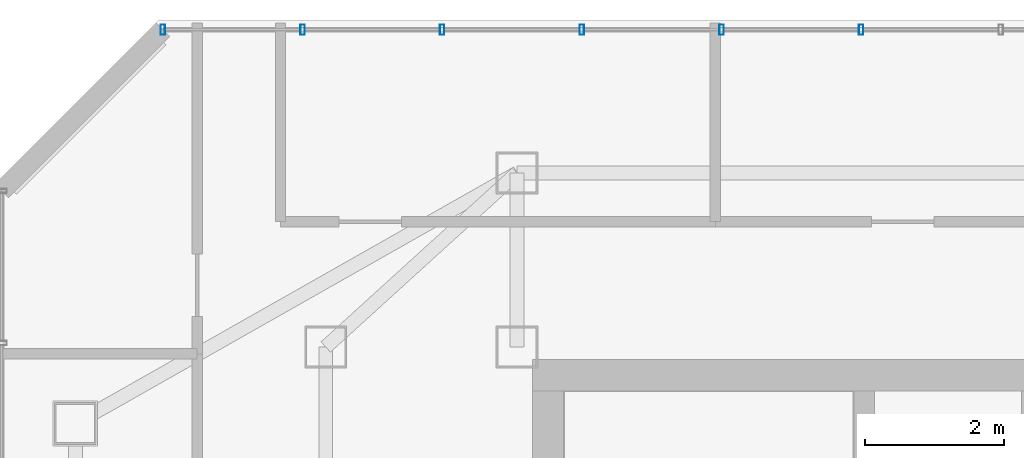
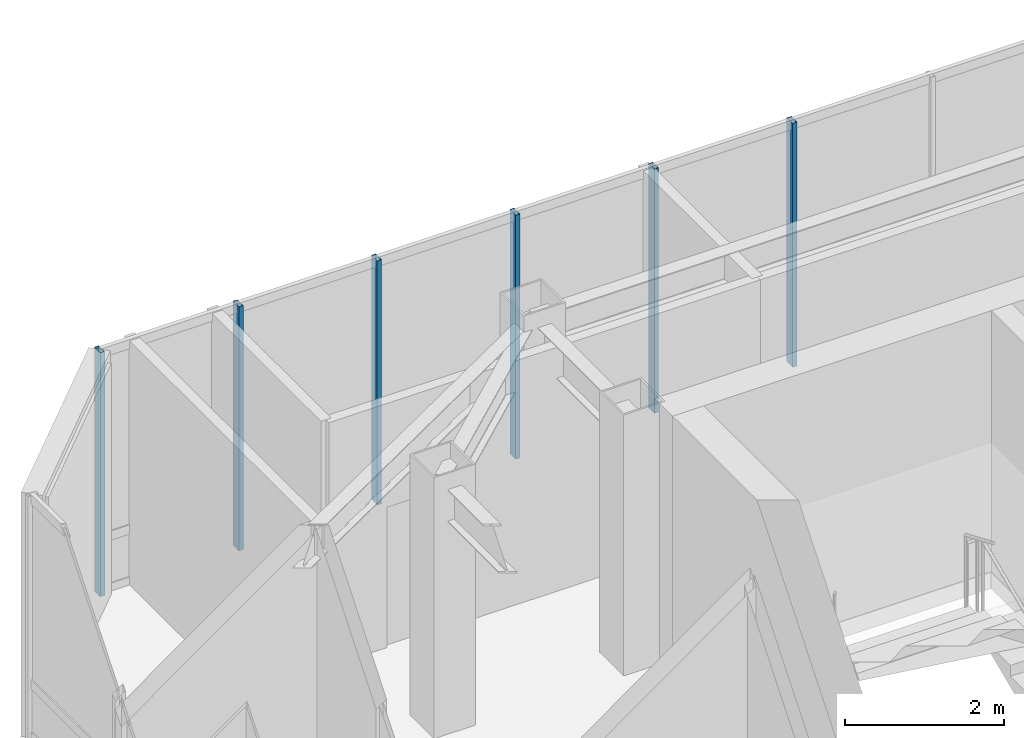
# One storey, part 22 of 31: 6 members, 1 element without a shape of its own.
"""IFC4 building model written with IfcOpenShell, lengths in metres."""

from ifc_helpers import new_model, si_unit, direction, frame, origin, origin_2d, place, context, subcontext, project, spatial, hollow_rectangle, extrude, material, layer, layer_set, material_profile, profile_set, type_object, element, aggregate, save


model = new_model("IFC4")

# Units and contexts
model_context = context("Model", 3, precision=1e-05, world=origin(), true_north=direction((0.0, 1.0)))
body_context = subcontext(model_context, "Body", "Model", "MODEL_VIEW")
ifc_project = project(units=[si_unit("LENGTHUNIT", "METRE"), si_unit("AREAUNIT", "SQUARE_METRE"), si_unit("VOLUMEUNIT", "CUBIC_METRE"), si_unit("PLANEANGLEUNIT", "RADIAN"), si_unit("MASSUNIT", "GRAM", prefix="KILO")], contexts=[model_context])

# Site, building, storey
site_placement = place(None, origin())
site = spatial("IfcSite", under=ifc_project, at=site_placement, CompositionType="ELEMENT")
building_placement = place(site_placement, origin())
building = spatial("IfcBuilding", under=site, at=building_placement, Name="Hatsunagi Terrace Concourse", CompositionType="ELEMENT")
storey_placement = place(building_placement, frame((0.0, 0.0, 269.949951171875)))
storey = spatial("IfcBuildingStorey", under=building, at=storey_placement, Name="L71", CompositionType="ELEMENT", Elevation=269.949951171875)

# Curtain wall, members
ifc_material_1 = material(Name="Anodised Aluminium Alloy 6063-T5", Category="aluminium")
ifc_layer = layer(ifc_material_1, 0.199951171875)
ifc_layer_set = layer_set([ifc_layer], Name="CrownWintergarden_CW06")
curtain_wall_type = type_object("IfcCurtainWallType", Name="CrownWintergarden_CW06", PredefinedType="NOTDEFINED", material=ifc_layer_set)
curtain_wall_placement = place(storey_placement, origin())
curtain_wall = element("IfcCurtainWall", 1, at=curtain_wall_placement, inside=storey, type_object=curtain_wall_type, Name="Unitised Curtain Wall CW-06 CW-L71-10", PredefinedType="NOTDEFINED")
ifc_material_2 = material(Name="Anodised Aluminium Alloy 6063-T5", Category="aluminium")
ifc_material_profile = material_profile(ifc_material_2, hollow_rectangle(XDim=0.06494140625, YDim=0.14990234375, WallThickness=0.00390625, at=origin_2d()), Name="ALU-MUL-150x65x4")
ifc_profile_set = profile_set([ifc_material_profile], Name="Anodised Aluminium Alloy 6063-T5")
member_type = type_object("IfcMemberType", Name="CurtainWallMullion_Crown_150x65", PredefinedType="MULLION", material=ifc_profile_set)
member_1_placement = place(storey_placement, frame((20.4580078125, 47.860107421875, 0.0), z_axis=(0.0, 0.0, 1.0), x_axis=(1.0, 0.0, 0.0)))
member_1 = element("IfcMember", 2, at=member_1_placement, type_object=member_type, Name="Curtain Wall Mullion MUL-03", PredefinedType="MULLION", context=body_context, shape_type="SweptSolid", body=[
    extrude(hollow_rectangle(XDim=0.06494140625, YDim=0.14990234375, WallThickness=0.00390625, at=origin_2d()), origin(), (0.0, 0.0, 1.0), 3.739990234375),
])
member_2_placement = place(storey_placement, frame((22.466064453125, 47.860107421875, 0.0), z_axis=(0.0, 0.0, 1.0), x_axis=(1.0, 0.0, 0.0)))
member_2 = element("IfcMember", 3, at=member_2_placement, type_object=member_type, Name="Curtain Wall Mullion MUL-03", PredefinedType="MULLION", context=body_context, shape_type="SweptSolid", body=[
    extrude(hollow_rectangle(XDim=0.06494140625, YDim=0.14990234375, WallThickness=0.00390625, at=origin_2d()), origin(), (0.0, 0.0, 1.0), 3.739990234375),
])
member_3_placement = place(storey_placement, frame((24.472900390625, 47.860107421875, 0.0), z_axis=(0.0, 0.0, 1.0), x_axis=(1.0, 0.0, 0.0)))
member_3 = element("IfcMember", 4, at=member_3_placement, type_object=member_type, Name="Curtain Wall Mullion MUL-03", PredefinedType="MULLION", context=body_context, shape_type="SweptSolid", body=[
    extrude(hollow_rectangle(XDim=0.06494140625, YDim=0.14990234375, WallThickness=0.00390625, at=origin_2d()), origin(), (0.0, 0.0, 1.0), 3.739990234375),
])
member_4_placement = place(storey_placement, frame((26.48095703125, 47.860107421875, 0.0), z_axis=(0.0, 0.0, 1.0), x_axis=(1.0, 0.0, 0.0)))
member_4 = element("IfcMember", 5, at=member_4_placement, type_object=member_type, Name="Curtain Wall Mullion MUL-03", PredefinedType="MULLION", context=body_context, shape_type="SweptSolid", body=[
    extrude(hollow_rectangle(XDim=0.06494140625, YDim=0.14990234375, WallThickness=0.00390625, at=origin_2d()), origin(), (0.0, 0.0, 1.0), 3.739990234375),
])
member_5_placement = place(storey_placement, frame((28.489013671875, 47.860107421875, 0.0), z_axis=(0.0, 0.0, 1.0), x_axis=(1.0, 0.0, 0.0)))
member_5 = element("IfcMember", 6, at=member_5_placement, type_object=member_type, Name="Curtain Wall Mullion MUL-03", PredefinedType="MULLION", context=body_context, shape_type="SweptSolid", body=[
    extrude(hollow_rectangle(XDim=0.06494140625, YDim=0.14990234375, WallThickness=0.00390625, at=origin_2d()), origin(), (0.0, 0.0, 1.0), 3.739990234375),
])
member_6_placement = place(storey_placement, frame((30.49609375, 47.860107421875, 0.0), z_axis=(0.0, 0.0, 1.0), x_axis=(1.0, 0.0, 0.0)))
member_6 = element("IfcMember", 7, at=member_6_placement, type_object=member_type, Name="Curtain Wall Mullion MUL-03", PredefinedType="MULLION", context=body_context, shape_type="SweptSolid", body=[
    extrude(hollow_rectangle(XDim=0.06494140625, YDim=0.14990234375, WallThickness=0.00390625, at=origin_2d()), origin(), (0.0, 0.0, 1.0), 3.739990234375),
])
aggregate(curtain_wall, [member_1, member_2, member_3, member_4, member_5, member_6])

save(model, "model.ifc")
